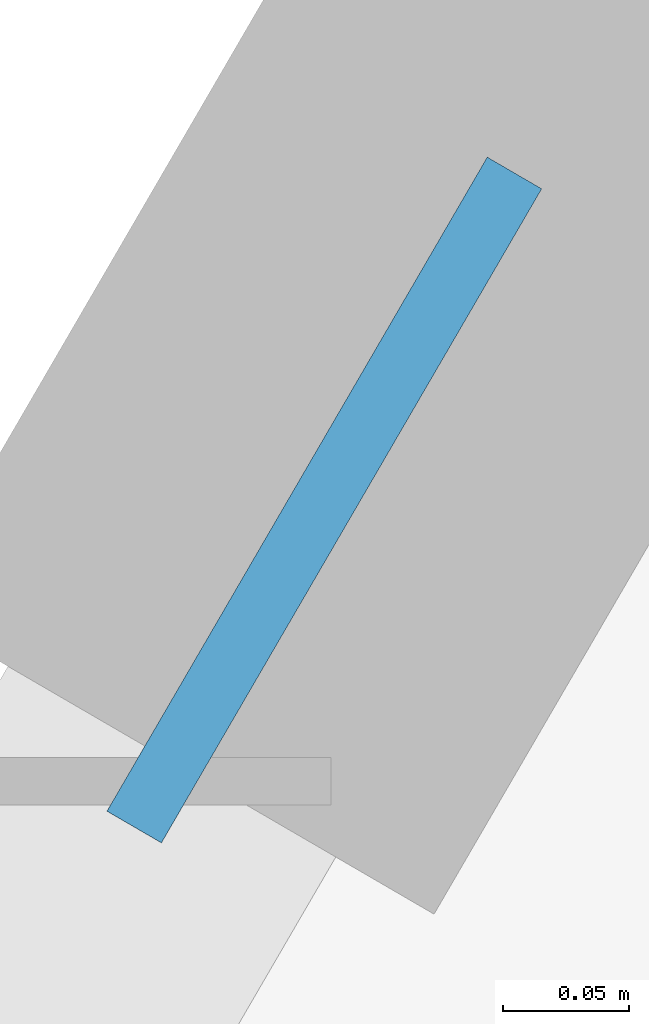
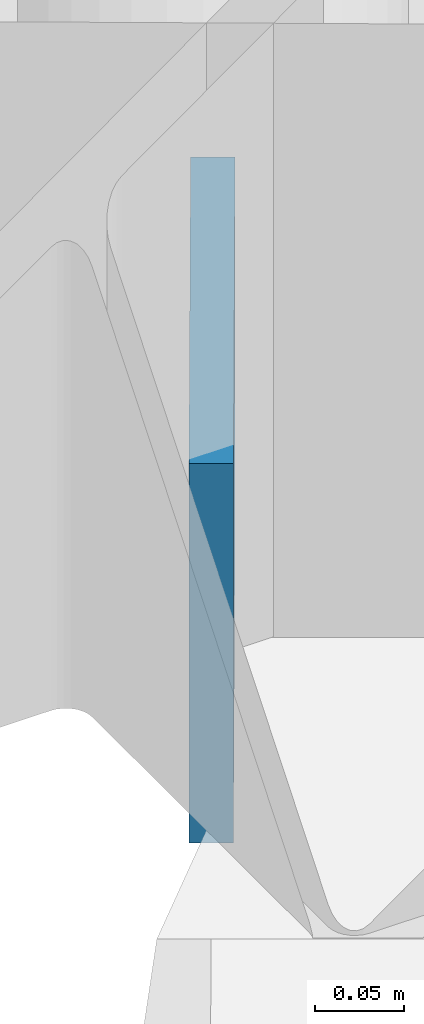
# One storey, part 112 of 148: 1 plate.
"""IFC4 building model written with IfcOpenShell, lengths in metres."""

from ifc_helpers import new_model, si_unit, direction, frame, origin, origin_2d, place, context, subcontext, project, spatial, rectangle, extrude, material, layer, layer_set, type_object, element, save


model = new_model("IFC4")

# Units and contexts
model_context = context("Model", 3, precision=1e-05, world=origin(), true_north=direction((0.0, 1.0)))
body_context = subcontext(model_context, "Body", "Model", "MODEL_VIEW")
ifc_project = project(units=[si_unit("LENGTHUNIT", "METRE"), si_unit("AREAUNIT", "SQUARE_METRE"), si_unit("VOLUMEUNIT", "CUBIC_METRE"), si_unit("PLANEANGLEUNIT", "RADIAN"), si_unit("MASSUNIT", "GRAM", prefix="KILO")], contexts=[model_context])

# Site, building, storey
site_placement = place(None, origin())
site = spatial("IfcSite", under=ifc_project, at=site_placement, CompositionType="ELEMENT")
building_placement = place(site_placement, origin())
building = spatial("IfcBuilding", under=site, at=building_placement, Name="Karori Crest Natural Sciences Institute", CompositionType="ELEMENT")
storey_placement = place(building_placement, frame((0.0, 0.0, 4.89990234375)))
storey = spatial("IfcBuildingStorey", under=building, at=storey_placement, Name="L01", CompositionType="ELEMENT", Elevation=4.89990234375)

# Plate
ifc_material = material(Name="Structural steel AS/NZS 3679.1 Grade 350", Category="steel")
ifc_layer = layer(ifc_material, 0.02490234375, Name="Structural steel AS/NZS 3679.1 Grade 350")
ifc_layer_set = layer_set([ifc_layer], Name="Structural steel AS/NZS 3679.1 Grade 350")
plate_type = type_object("IfcPlateType", Name="PLT-06", PredefinedType="SHEET", material=ifc_layer_set)
plate_placement = place(storey_placement, frame((83.80419921875, 27.390380859375, -0.11962890625), z_axis=(0.0, 0.0, 1.0), x_axis=(0.502651840669, 0.86448893982, 0.0)))
element("IfcPlate", 1, at=plate_placement, inside=storey, type_object=plate_type, Name="Brace gusset plate EP-0023", PredefinedType="SHEET", context=body_context, shape_type="SweptSolid", body=[
    extrude(rectangle(XDim=0.299072265625, YDim=0.02490234375, at=origin_2d()), origin(), (0.0, 0.0, 1.0), 0.259033203125),
])

save(model, "model.ifc")
